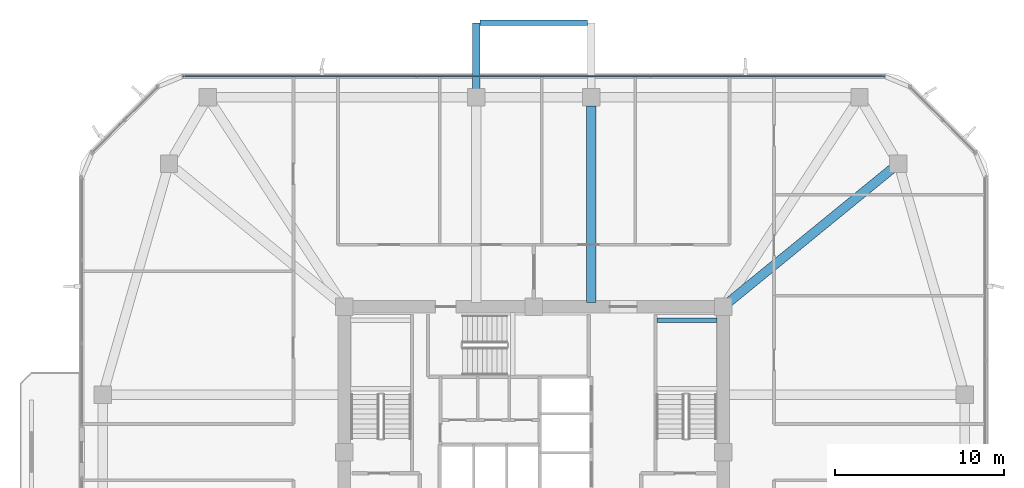
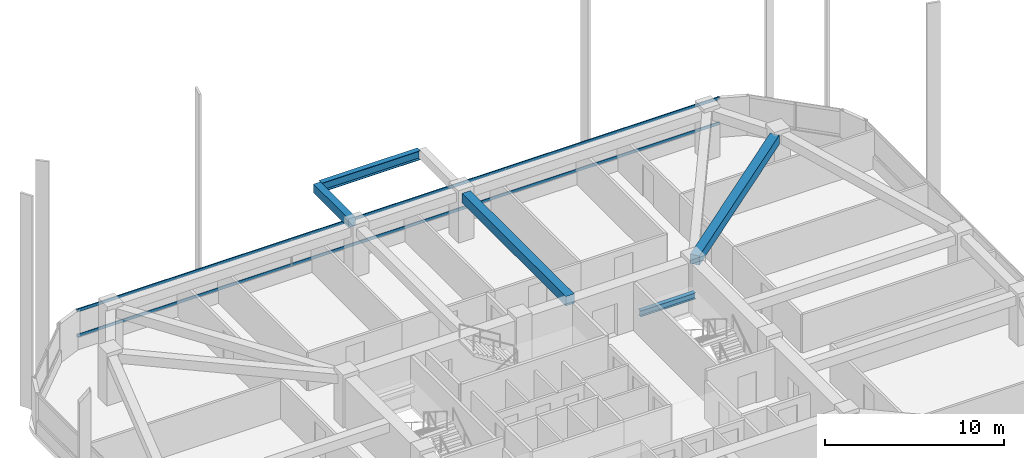
# One storey, part 5 of 15: 5 beams, 2 members, 1 element without a shape of its own.
"""IFC4 building model written with IfcOpenShell, lengths in metres."""

from ifc_helpers import new_model, si_unit, derived_unit, direction, frame, origin, origin_2d, place, context, subcontext, project, spatial, rectangle, i_section, extrude, material, material_profile, profile_set, type_object, element, aggregate, save


model = new_model("IFC4")

# Units and contexts
model_context = context("Model", 3, precision=1e-05, world=origin(), true_north=direction((0.0, 1.0)))
body_context = subcontext(model_context, "Body", "Model", "MODEL_VIEW")
ifc_project = project(units=[si_unit("LENGTHUNIT", "METRE"), si_unit("AREAUNIT", "SQUARE_METRE"), si_unit("VOLUMEUNIT", "CUBIC_METRE"), si_unit("PLANEANGLEUNIT", "RADIAN"), si_unit("MASSUNIT", "GRAM", prefix="KILO"), derived_unit("THERMALTRANSMITTANCEUNIT", [(si_unit("POWERUNIT", "WATT"), 1), (si_unit("LENGTHUNIT", "METRE"), -2), (si_unit("THERMODYNAMICTEMPERATUREUNIT", "KELVIN"), -1)])], contexts=[model_context])

# Site, building, storey
site_placement = place(None, origin())
site = spatial("IfcSite", under=ifc_project, at=site_placement, CompositionType="ELEMENT")
building_placement = place(site_placement, origin())
building = spatial("IfcBuilding", under=site, at=building_placement, Name="Koralith Skygarden Medical Center", CompositionType="ELEMENT")
storey_placement = place(building_placement, frame((0.0, 0.0, 84.780029296875)))
storey = spatial("IfcBuildingStorey", under=building, at=storey_placement, Name="L21", CompositionType="ELEMENT", Elevation=84.780029296875)

# Curtain wall, members
ifc_material_1 = material(Name="Clear Laminated Glass", Category="glass")
curtain_wall_type = type_object("IfcCurtainWallType", Name="CW-3 Zone 2 Faceted Solar Curtain Wall", PredefinedType="NOTDEFINED", material=ifc_material_1)
curtain_wall_placement = place(storey_placement, origin())
curtain_wall = element("IfcCurtainWall", 1, at=curtain_wall_placement, inside=storey, type_object=curtain_wall_type, Name="Curtain Wall CW-L21-N", PredefinedType="NOTDEFINED")
ifc_material_2 = material(Name="Aluminium 6063-T6", Category="aluminium")
ifc_material_profile_1 = material_profile(ifc_material_2, rectangle(XDim=0.069091796875, YDim=0.197998046875, at=origin_2d()), Name="TRN69X198")
ifc_profile_set_1 = profile_set([ifc_material_profile_1], Name="Aluminium 6063-T6")
member_type = type_object("IfcMemberType", Name="CW-3 Thermal Transom 69x198", PredefinedType="USERDEFINED", material=ifc_profile_set_1)
member_1_placement = place(storey_placement, frame((57.7451171875, 48.1201171875, 0.89990234375), z_axis=(-1.0, 0.0, 0.0), x_axis=(0.0, -1.0, 0.0)))
member_1 = element("IfcMember", 2, at=member_1_placement, type_object=member_type, Name="CW-L21-N Transom 1", ObjectType="TRANSOM", PredefinedType="USERDEFINED", context=body_context, shape_type="SweptSolid", body=[
    extrude(rectangle(XDim=0.069091796875, YDim=0.197998046875, at=origin_2d()), origin(), (0.0, 0.0, 1.0), 41.490234375),
])
member_2_placement = place(storey_placement, frame((57.7451171875, 48.1201171875, 2.619873046875), z_axis=(-1.0, 0.0, 0.0), x_axis=(0.0, -1.0, 0.0)))
member_2 = element("IfcMember", 3, at=member_2_placement, type_object=member_type, Name="CW-L21-N Transom 2", ObjectType="TRANSOM", PredefinedType="USERDEFINED", context=body_context, shape_type="SweptSolid", body=[
    extrude(rectangle(XDim=0.069091796875, YDim=0.197998046875, at=origin_2d()), origin(), (0.0, 0.0, 1.0), 41.490234375),
])
aggregate(curtain_wall, [member_1, member_2])

# Beams
ifc_material_3 = material(Name="Steel ASTM A992 Grade 50", Category="steel")
ifc_material_profile_2 = material_profile(ifc_material_3, i_section(OverallWidth=0.326904296875, OverallDepth=0.6220703125, WebThickness=0.015380859375, FlangeThickness=0.0244140625, at=origin_2d()), Name="W24X131")
ifc_profile_set_2 = profile_set([ifc_material_profile_2], Name="Steel ASTM A992 Grade 50")
beam_type_1 = type_object("IfcBeamType", Name="Cantilever Tie Beam W24X131", PredefinedType="BEAM", material=ifc_profile_set_2)
beam_1_placement = place(storey_placement, frame((33.820068359375, 51.2900390625, 3.029052734375), z_axis=(1.0, 0.0, 0.0), x_axis=(0.0, 1.0, 0.0)))
element("IfcBeam", 4, at=beam_1_placement, inside=storey, type_object=beam_type_1, Name="L22 N Balcony Tip Tie Beam", PredefinedType="BEAM", context=body_context, shape_type="SweptSolid", body=[
    extrude(i_section(OverallWidth=0.326904296875, OverallDepth=0.6220703125, WebThickness=0.015380859375, FlangeThickness=0.0244140625, at=origin_2d()), origin(), (0.0, 0.0, 1.0), 6.35986328125),
])
ifc_material_profile_3 = material_profile(ifc_material_3, i_section(OverallWidth=0.260009765625, OverallDepth=0.4150390625, WebThickness=0.010009765625, FlangeThickness=0.016845703125, at=origin_2d()), Name="W16X67")
ifc_profile_set_3 = profile_set([ifc_material_profile_3], Name="Steel ASTM A992 Grade 50")
beam_type_2 = type_object("IfcBeamType", Name="Clinical Floor Joist W16X67", PredefinedType="JOIST", material=ifc_profile_set_3)
beam_2_placement = place(storey_placement, frame((44.280029296875, 33.699951171875, 1.39208984375), z_axis=(1.0, 0.0, 0.0), x_axis=(0.0, 1.0, 0.0)))
element("IfcBeam", 5, at=beam_2_placement, inside=storey, type_object=beam_type_2, Name="L21 Stair ST2 Half-Landing Support Beam 1B", PredefinedType="JOIST", context=body_context, shape_type="SweptSolid", body=[
    extrude(i_section(OverallWidth=0.260009765625, OverallDepth=0.4150390625, WebThickness=0.010009765625, FlangeThickness=0.016845703125, at=origin_2d()), origin(), (0.0, 0.0, 1.0), 3.56494140625),
])
ifc_material_4 = material(Name="Concrete C45/55", Category="concrete")
ifc_material_profile_4 = material_profile(ifc_material_4, rectangle(XDim=0.449951171875, YDim=0.60009765625, at=origin_2d()), Name="RCB450X600")
ifc_profile_set_4 = profile_set([ifc_material_profile_4], Name="Concrete C45/55")
beam_type_3 = type_object("IfcBeamType", Name="Planted Balcony Cantilever Beam RCB450X600", PredefinedType="BEAM", material=ifc_profile_set_4)
beam_3_placement = place(storey_placement, frame((33.60009765625, 47.3701171875, 3.0400390625), z_axis=(0.0, 1.0, 0.0), x_axis=(-1.0, 0.0, 0.0)))
element("IfcBeam", 6, at=beam_3_placement, inside=storey, type_object=beam_type_3, Name="L22 N Balcony Cantilever Beam A", PredefinedType="BEAM", context=body_context, shape_type="SweptSolid", body=[
    extrude(rectangle(XDim=0.449951171875, YDim=0.60009765625, at=origin_2d()), origin(), (0.0, 0.0, 1.0), 3.919921875),
])
ifc_material_profile_5 = material_profile(ifc_material_4, rectangle(XDim=0.550048828125, YDim=0.639892578125, at=origin_2d()), Name="RCB550X640")
ifc_profile_set_5 = profile_set([ifc_material_profile_5], Name="Concrete C45/55")
beam_type_4 = type_object("IfcBeamType", Name="Radial Collector Beam RCB550X640", PredefinedType="BEAM", material=ifc_profile_set_5)
beam_4_placement = place(storey_placement, frame((48.39404296875, 34.657958984375, 3.0), z_axis=(0.774537653753, 0.632527804067, 0.0), x_axis=(-0.632527804067, 0.774537653753, 0.0)))
element("IfcBeam", 7, at=beam_4_placement, inside=storey, type_object=beam_type_4, Name="L21 Radial Collector Beam RB-10", PredefinedType="BEAM", context=body_context, shape_type="SweptSolid", body=[
    extrude(rectangle(XDim=0.550048828125, YDim=0.639892578125, at=origin_2d()), origin(), (0.0, 0.0, 1.0), 12.625732421875),
])
beam_5_placement = place(storey_placement, frame((40.39990234375, 34.75, 3.0), z_axis=(0.0, 1.0, 0.0), x_axis=(-1.0, 0.0, 0.0)))
element("IfcBeam", 8, at=beam_5_placement, inside=storey, type_object=beam_type_4, Name="L21 Radial Collector Beam RB-12", PredefinedType="BEAM", context=body_context, shape_type="SweptSolid", body=[
    extrude(rectangle(XDim=0.550048828125, YDim=0.639892578125, at=origin_2d()), origin(), (0.0, 0.0, 1.0), 11.6298828125),
])

save(model, "model.ifc")
